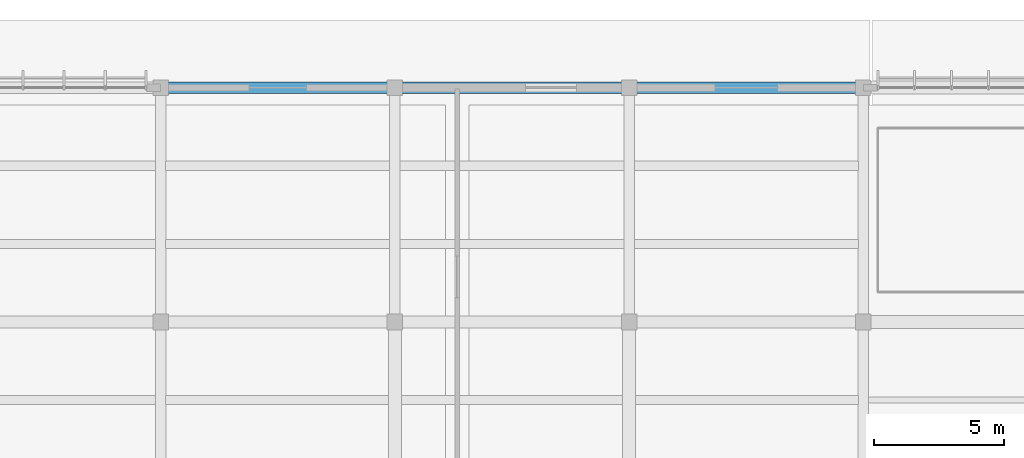
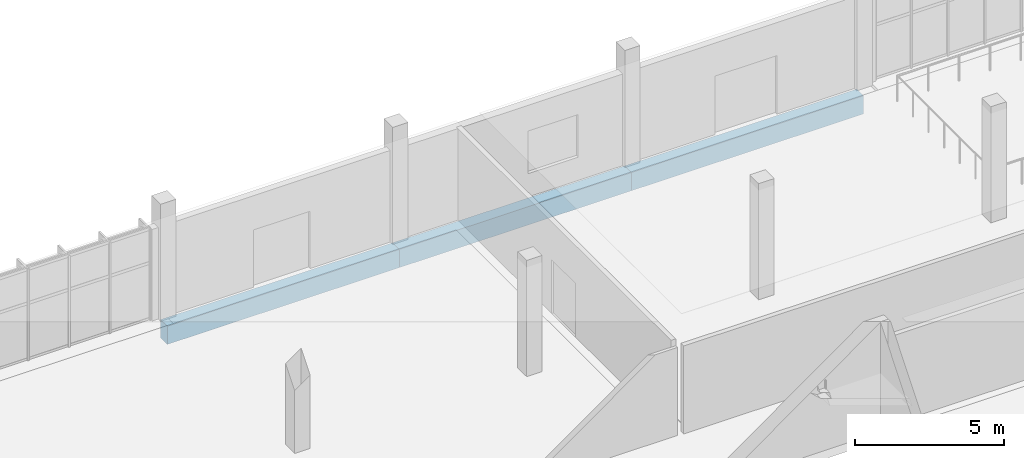
# One storey, part 101 of 151: 3 beams.
"""IFC4 building model written with IfcOpenShell, lengths in metres."""

from ifc_helpers import new_model, si_unit, direction, frame, origin, origin_2d, place, context, subcontext, project, spatial, rectangle, extrude, material, material_profile, profile_set, type_object, element, save


model = new_model("IFC4")

# Units and contexts
model_context = context("Model", 3, precision=1e-05, world=origin(), true_north=direction((0.0, 1.0)))
body_context = subcontext(model_context, "Body", "Model", "MODEL_VIEW")
ifc_project = project(units=[si_unit("LENGTHUNIT", "METRE"), si_unit("AREAUNIT", "SQUARE_METRE"), si_unit("VOLUMEUNIT", "CUBIC_METRE"), si_unit("PLANEANGLEUNIT", "RADIAN"), si_unit("MASSUNIT", "GRAM", prefix="KILO")], contexts=[model_context])

# Site, building, storey
site_placement = place(None, origin())
site = spatial("IfcSite", under=ifc_project, at=site_placement, CompositionType="ELEMENT")
building_placement = place(site_placement, origin())
building = spatial("IfcBuilding", under=site, at=building_placement, Name="Chiffa Square Polytechnic", CompositionType="ELEMENT")
storey_placement = place(building_placement, origin())
storey = spatial("IfcBuildingStorey", under=building, at=storey_placement, Name="L00", CompositionType="ELEMENT", Elevation=0.0)

# Beams
ifc_material = material(Name="Concrete C35/45", Category="concrete")
ifc_material_profile = material_profile(ifc_material, rectangle(XDim=0.449951171875, YDim=0.75, at=origin_2d()), Name="RC 450x750")
ifc_profile_set = profile_set([ifc_material_profile], Name="Concrete C35/45")
beam_type = type_object("IfcBeamType", Name="BM-RC-450X750", PredefinedType="BEAM", material=ifc_profile_set)
for number, where, z_axis, x_axis, name in (
    (1, (84.60009765625, 130.800048828125, -0.72509765625), (1.0, 0.0, 0.0), (0.0, 1.0, 0.0), "Primary floor girder BM-V5-L00-X-0846-1308"),
    (2, (93.60009765625, 130.800048828125, -0.72509765625), (1.0, 0.0, 0.0), (0.0, 1.0, 0.0), "Primary floor girder BM-V5-L00-X-0936-1308"),
    (3, (102.60009765625, 130.800048828125, -0.72509765625), (1.0, 0.0, 0.0), (0.0, 1.0, 0.0), "Primary floor girder BM-V5-L00-X-1026-1308"),
):
    element("IfcBeam", number, at=place(storey_placement, frame(where, z_axis=z_axis, x_axis=x_axis)), inside=storey, type_object=beam_type, Name=name, PredefinedType="BEAM", context=body_context, shape_type="SweptSolid", body=[
        extrude(rectangle(XDim=0.449951171875, YDim=0.75, at=origin_2d()), origin(), (0.0, 0.0, 1.0), 9.0),
    ])

save(model, "model.ifc")
